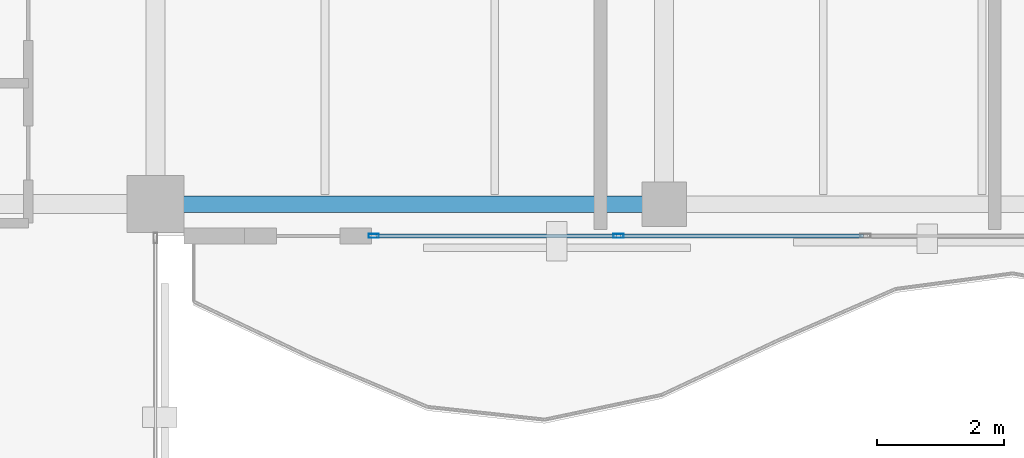
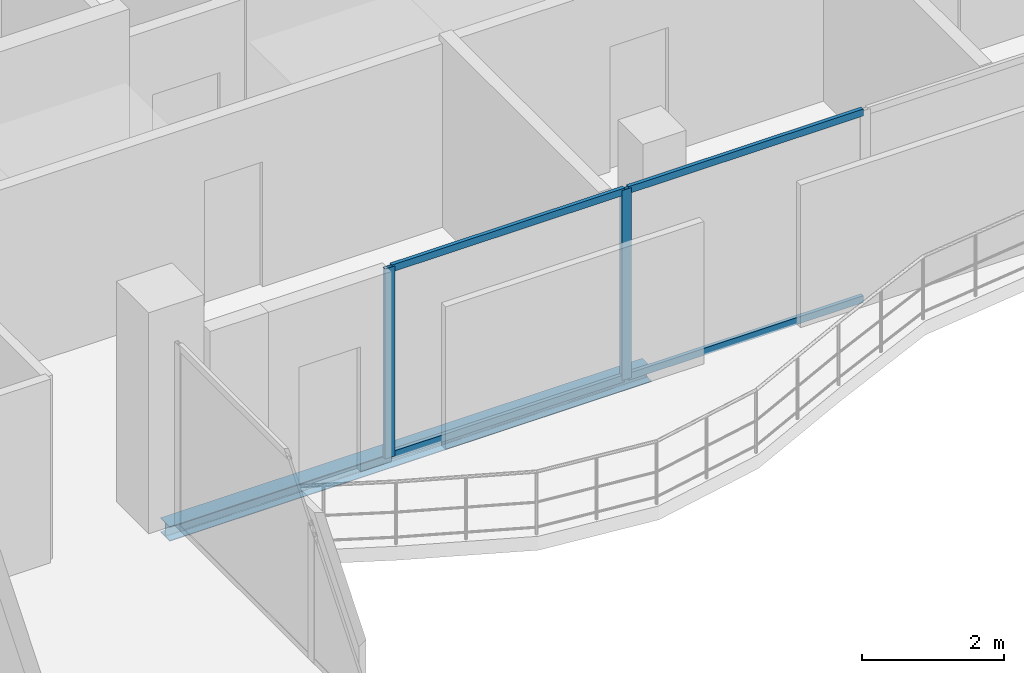
# One storey, part 5 of 17: 6 members, 1 beam, 1 element without a shape of its own.
"""IFC4 building model written with IfcOpenShell, lengths in metres."""

from ifc_helpers import new_model, si_unit, direction, frame, origin, origin_2d, place, context, subcontext, project, spatial, hollow_rectangle, i_section, extrude, material, layer, layer_set, material_profile, profile_set, type_object, element, aggregate, save


model = new_model("IFC4")

# Units and contexts
model_context = context("Model", 3, precision=1e-05, world=origin(), true_north=direction((0.0, 1.0)))
body_context = subcontext(model_context, "Body", "Model", "MODEL_VIEW")
ifc_project = project(units=[si_unit("LENGTHUNIT", "METRE"), si_unit("AREAUNIT", "SQUARE_METRE"), si_unit("VOLUMEUNIT", "CUBIC_METRE"), si_unit("PLANEANGLEUNIT", "RADIAN"), si_unit("MASSUNIT", "GRAM", prefix="KILO")], contexts=[model_context])

# Site, building, storey
site_placement = place(None, origin())
site = spatial("IfcSite", under=ifc_project, at=site_placement, CompositionType="ELEMENT")
building_placement = place(site_placement, origin())
building = spatial("IfcBuilding", under=site, at=building_placement, Name="Catumbela Crestline Tower", CompositionType="ELEMENT")
storey_placement = place(building_placement, frame((0.0, 0.0, 271.6)))
storey = spatial("IfcBuildingStorey", under=building, at=storey_placement, Name="L70", CompositionType="ELEMENT", Elevation=271.6)

# Curtain wall, members
ifc_material_1 = material(Name="Aluminium alloy AW-6060-T66", Category="aluminium")
ifc_layer = layer(ifc_material_1, 0.18, Name="Aluminium alloy AW-6060-T66")
ifc_layer_set = layer_set([ifc_layer], Name="Aluminium alloy AW-6060-T66")
curtain_wall_type = type_object("IfcCurtainWallType", Name="CWU-Z4", PredefinedType="USERDEFINED", material=ifc_layer_set)
curtain_wall_placement = place(storey_placement, origin())
curtain_wall = element("IfcCurtainWall", 1, at=curtain_wall_placement, inside=storey, type_object=curtain_wall_type, Name="L70 Unitised Curtain Wall CW-L70-E3S2", ObjectType="UNITISED", PredefinedType="USERDEFINED")
ifc_material_profile_1 = material_profile(ifc_material_1, hollow_rectangle(XDim=0.06, YDim=0.16, WallThickness=0.004, at=origin_2d()), Name="ALU 160x60x4")
ifc_profile_set_1 = profile_set([ifc_material_profile_1], Name="Aluminium alloy AW-6060-T66")
member_type_1 = type_object("IfcMemberType", Name="MUL-160X60", PredefinedType="MULLION", material=ifc_profile_set_1)
member_1_placement = place(storey_placement, frame((27.4325, 24.0, 0.0), z_axis=(0.0, 0.0, 1.0), x_axis=(0.0, 1.0, 0.0)))
member_1 = element("IfcMember", 2, at=member_1_placement, type_object=member_type_1, Name="CWU-Z4 mullion 1", PredefinedType="MULLION", context=body_context, shape_type="SweptSolid", body=[
    extrude(hollow_rectangle(XDim=0.06, YDim=0.16, WallThickness=0.004, at=origin_2d()), origin(), (0.0, 0.0, 1.0), 3.27),
])
member_2_placement = place(storey_placement, frame((31.2833, 24.0, 0.0), z_axis=(0.0, 0.0, 1.0), x_axis=(0.0, 1.0, 0.0)))
member_2 = element("IfcMember", 3, at=member_2_placement, type_object=member_type_1, Name="CWU-Z4 mullion 2", PredefinedType="MULLION", context=body_context, shape_type="SweptSolid", body=[
    extrude(hollow_rectangle(XDim=0.06, YDim=0.16, WallThickness=0.004, at=origin_2d()), origin(), (0.0, 0.0, 1.0), 3.27),
])

# Beam
ifc_material_2 = material(Name="Structural steel S355J2", Category="steel")
ifc_material_profile_2 = material_profile(ifc_material_2, i_section(OverallWidth=0.26, OverallDepth=0.25, WebThickness=0.0075, FlangeThickness=0.0125, FilletRadius=0.024, at=origin_2d()), Name="HEA 260")
ifc_profile_set_2 = profile_set([ifc_material_profile_2], Name="Structural steel S355J2")
beam_type = type_object("IfcBeamType", Name="BS-HEA260", PredefinedType="SPANDREL", material=ifc_profile_set_2)
beam_placement = place(storey_placement, frame((24.08, 24.5, -0.385), z_axis=(1.0, 0.0, 0.0), x_axis=(0.0, 1.0, 0.0)))
element("IfcBeam", 4, at=beam_placement, inside=storey, type_object=beam_type, Name="L70 Spandrel SP-L70-S02", PredefinedType="SPANDREL", context=body_context, shape_type="SweptSolid", body=[
    extrude(i_section(OverallWidth=0.26, OverallDepth=0.25, WebThickness=0.0075, FlangeThickness=0.0125, FilletRadius=0.024, at=origin_2d()), origin(), (0.0, 0.0, 1.0), 7.84),
])

# Member
ifc_material_profile_3 = material_profile(ifc_material_1, hollow_rectangle(XDim=0.06, YDim=0.12, WallThickness=0.0035, at=origin_2d()), Name="ALU 120x60x3.5")
ifc_profile_set_3 = profile_set([ifc_material_profile_3], Name="Aluminium alloy AW-6060-T66")
member_type_2 = type_object("IfcMemberType", Name="TRN-120X60", PredefinedType="USERDEFINED", material=ifc_profile_set_3)
member_3_placement = place(storey_placement, frame((27.465, 24.0, 0.03), z_axis=(1.0, 0.0, 0.0), x_axis=(0.0, 1.0, 0.0)))
member_3 = element("IfcMember", 5, at=member_3_placement, type_object=member_type_2, Name="CWU-Z4 transom 1.1", ObjectType="TRANSOM", PredefinedType="USERDEFINED", context=body_context, shape_type="SweptSolid", body=[
    extrude(hollow_rectangle(XDim=0.06, YDim=0.12, WallThickness=0.0035, at=origin_2d()), origin(), (0.0, 0.0, 1.0), 3.7858),
])

member_4_placement = place(storey_placement, frame((27.465, 24.0, 3.24), z_axis=(1.0, 0.0, 0.0), x_axis=(0.0, 1.0, 0.0)))
member_4 = element("IfcMember", 6, at=member_4_placement, type_object=member_type_2, Name="CWU-Z4 transom 1.2", ObjectType="TRANSOM", PredefinedType="USERDEFINED", context=body_context, shape_type="SweptSolid", body=[
    extrude(hollow_rectangle(XDim=0.06, YDim=0.12, WallThickness=0.0035, at=origin_2d()), origin(), (0.0, 0.0, 1.0), 3.7858),
])

member_5_placement = place(storey_placement, frame((31.3158, 24.0, 0.03), z_axis=(1.0, 0.0, 0.0), x_axis=(0.0, 1.0, 0.0)))
member_5 = element("IfcMember", 7, at=member_5_placement, type_object=member_type_2, Name="CWU-Z4 transom 2.1", ObjectType="TRANSOM", PredefinedType="USERDEFINED", context=body_context, shape_type="SweptSolid", body=[
    extrude(hollow_rectangle(XDim=0.06, YDim=0.12, WallThickness=0.0035, at=origin_2d()), origin(), (0.0, 0.0, 1.0), 3.8184),
])

member_6_placement = place(storey_placement, frame((31.3158, 24.0, 3.24), z_axis=(1.0, 0.0, 0.0), x_axis=(0.0, 1.0, 0.0)))
member_6 = element("IfcMember", 8, at=member_6_placement, type_object=member_type_2, Name="CWU-Z4 transom 2.2", ObjectType="TRANSOM", PredefinedType="USERDEFINED", context=body_context, shape_type="SweptSolid", body=[
    extrude(hollow_rectangle(XDim=0.06, YDim=0.12, WallThickness=0.0035, at=origin_2d()), origin(), (0.0, 0.0, 1.0), 3.8184),
])

aggregate(curtain_wall, [member_1, member_2, member_3, member_4, member_5, member_6])

save(model, "model.ifc")
